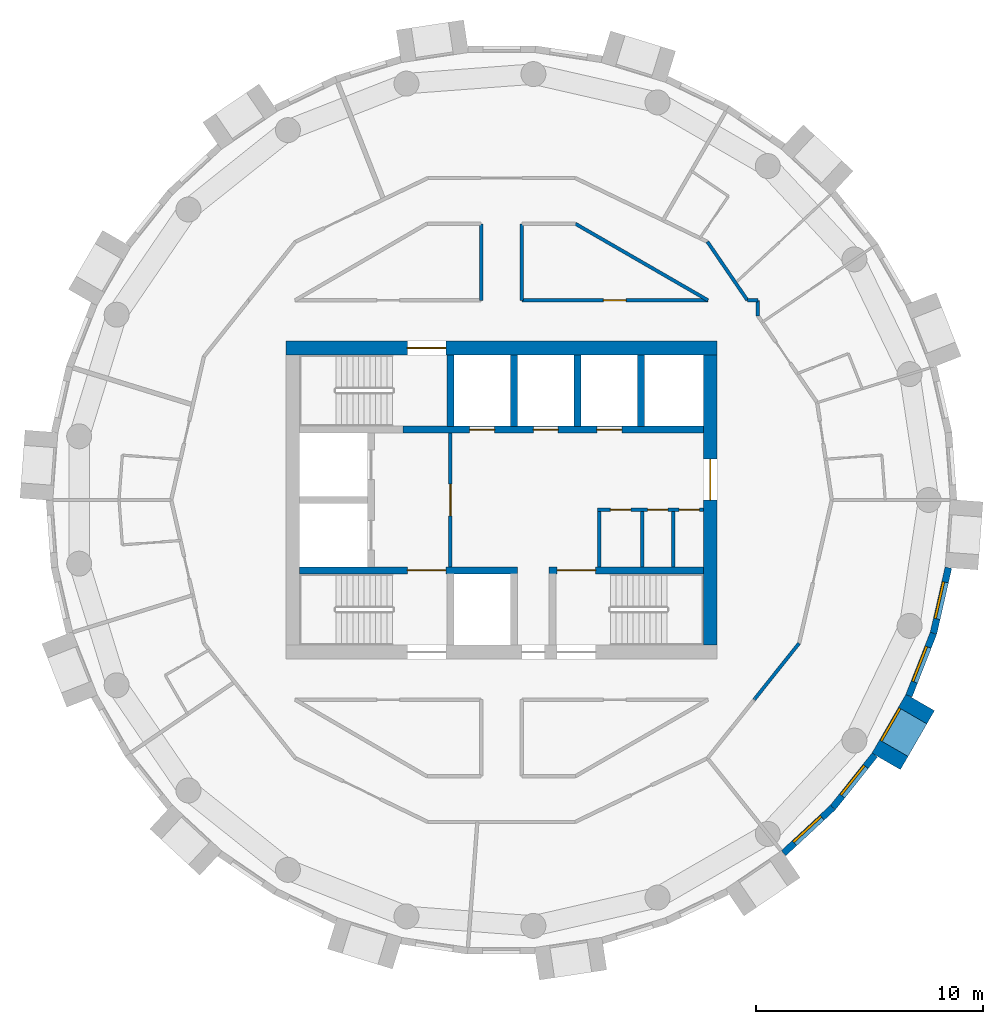
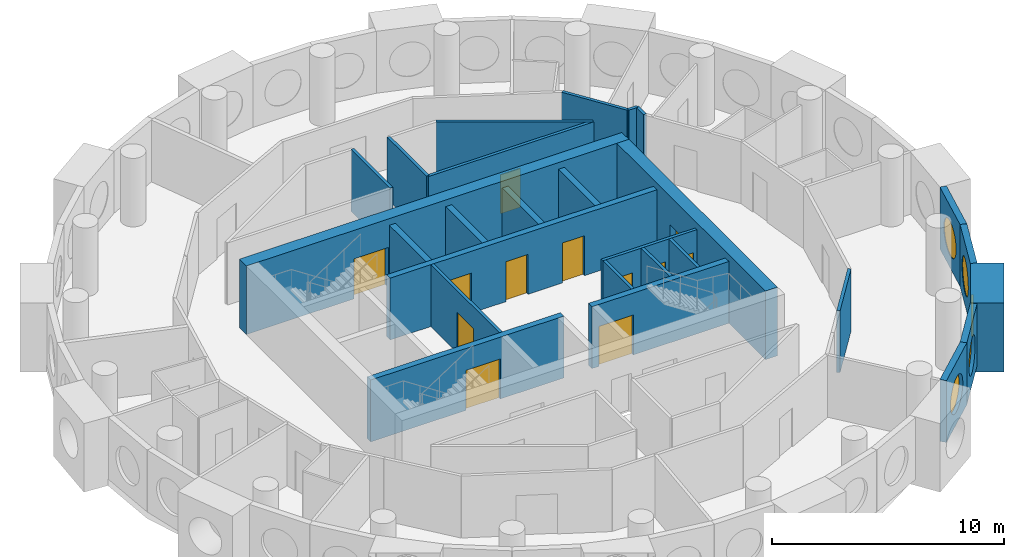
# One storey, part 7 of 11: 27 walls, 12 doors, 5 windows, 17 openings.
"""IFC4 building model written with IfcOpenShell, lengths in metres."""

from ifc_helpers import new_model, si_unit, direction, frame, frame_2d, origin, origin_2d, place, context, subcontext, project, spatial, rectangle, circle, extrude, material, layer, layer_set, type_object, element, fill, save


model = new_model("IFC4")

# Units and contexts
model_context = context("Model", 3, precision=1e-05, world=origin(), true_north=direction((0.0, 1.0)))
body_context = subcontext(model_context, "Body", "Model", "MODEL_VIEW")
ifc_project = project(units=[si_unit("LENGTHUNIT", "METRE"), si_unit("AREAUNIT", "SQUARE_METRE"), si_unit("VOLUMEUNIT", "CUBIC_METRE"), si_unit("PLANEANGLEUNIT", "RADIAN"), si_unit("MASSUNIT", "GRAM", prefix="KILO")], contexts=[model_context])

# Site, building, storey
site_placement = place(None, origin())
site = spatial("IfcSite", under=ifc_project, at=site_placement, CompositionType="ELEMENT")
building_placement = place(site_placement, origin())
building = spatial("IfcBuilding", under=site, at=building_placement, Name="Tracery Tower", CompositionType="ELEMENT")
storey_placement = place(building_placement, frame((0.0, 0.0, 238.199951171875)))
storey = spatial("IfcBuildingStorey", under=building, at=storey_placement, Name="L61", CompositionType="ELEMENT", Elevation=238.199951171875)

# Wall, opening, door
ifc_material_1 = material(Name="Plasterboard on steel studs", Category="steel")
ifc_layer_1 = layer(ifc_material_1, 0.14990234375)
ifc_layer_set_1 = layer_set([ifc_layer_1], Name="Core lobby partition 150")
wall_type_1 = type_object("IfcWallType", Name="Core lobby partition 150", PredefinedType="SOLIDWALL", material=ifc_layer_set_1)
wall_1_placement = place(storey_placement, frame((-2.25, -2.949951171875, 0.0), z_axis=(0.0, 0.0, 1.0), x_axis=(0.0, 1.0, 0.0)))
wall_1 = element("IfcWall", 1, at=wall_1_placement, inside=storey, type_object=wall_type_1, Name="L61 FF lobby E", PredefinedType="SOLIDWALL", context=body_context, shape_type="SweptSolid", body=[
    extrude(rectangle(XDim=5.89990234375, YDim=0.14990234375, at=frame_2d((2.949951171875, 0.0))), origin(), (0.0, 0.0, 1.0), 3.25),
])
opening_1_placement = place(wall_1_placement, frame((2.25, 0.0, 0.0)))
opening_1 = element("IfcOpeningElement", 2, at=opening_1_placement, cuts=wall_1, Name="Opening KD8", PredefinedType="OPENING", context=body_context, shape_type="SweptSolid", body=[
    extrude(rectangle(XDim=1.39990234375, YDim=2.10009765625, at=frame_2d((0.699951171875, 1.050048828125))), frame((0.0, 0.074951171875, 0.0), z_axis=(0.0, -1.0, 0.0), x_axis=(1.0, 0.0, 0.0)), (0.0, 0.0, 1.0), 0.14990234375),
])
ifc_material_2 = material(Name="Steel fire door", Category="steel")
door_type_1 = type_object("IfcDoorType", Name="Core lobby door 1400 double", OperationType="NOTDEFINED", PredefinedType="DOOR", material=ifc_material_2)
door_1_placement = place(opening_1_placement, origin())
door_1 = element("IfcDoor", 3, at=door_1_placement, inside=storey, type_object=door_type_1, Name="Fire-fighting lobby door", OperationType="DOUBLE_DOOR_SINGLE_SWING", OverallHeight=2.10009765625, OverallWidth=1.39990234375, PredefinedType="DOOR", context=body_context, shape_type="SweptSolid", body=[
    extrude(rectangle(XDim=1.39990234375, YDim=2.10009765625, at=frame_2d((0.699951171875, 1.050048828125))), frame((0.0, 0.02490234375, 0.0), z_axis=(0.0, -1.0, 0.0), x_axis=(1.0, 0.0, 0.0)), (0.0, 0.0, 1.0), 0.050048828125),
])
fill(opening_1, door_1)

# Wall
ifc_material_3 = material(Name="Plasterboard on steel studs", Category="steel")
ifc_layer_2 = layer(ifc_material_3, 0.14990234375)
ifc_layer_set_2 = layer_set([ifc_layer_2], Name="Core room partition 150")
wall_type_2 = type_object("IfcWallType", Name="Core room partition 150", PredefinedType="SOLIDWALL", material=ifc_layer_set_2)
wall_2_placement = place(storey_placement, frame((4.300048828125, -2.949951171875, 0.0), z_axis=(0.0, 0.0, 1.0), x_axis=(0.0, 1.0, 0.0)))
element("IfcWall", 4, at=wall_2_placement, inside=storey, type_object=wall_type_2, Name="L61 slot W", PredefinedType="SOLIDWALL", context=body_context, shape_type="SweptSolid", body=[
    extrude(rectangle(XDim=2.449951171875, YDim=0.14990234375, at=frame_2d((1.22509765625, 0.0))), origin(), (0.0, 0.0, 1.0), 3.25),
])

# Wall, openings, doors
wall_3_placement = place(storey_placement, frame((4.22509765625, -0.425048828125, 0.0), z_axis=(0.0, 0.0, 1.0), x_axis=(1.0, 0.0, 0.0)))
wall_3 = element("IfcWall", 5, at=wall_3_placement, inside=storey, type_object=wall_type_2, Name="L61 slot N", PredefinedType="SOLIDWALL", context=body_context, shape_type="SweptSolid", body=[
    extrude(rectangle(XDim=4.6748046875, YDim=0.14990234375, at=frame_2d((2.33740234375, 0.0))), origin(), (0.0, 0.0, 1.0), 3.25),
])
opening_2_placement = place(wall_3_placement, frame((0.574951171875, 0.0, 0.0)))
opening_2 = element("IfcOpeningElement", 6, at=opening_2_placement, cuts=wall_3, Name="Opening KD22", PredefinedType="OPENING", context=body_context, shape_type="SweptSolid", body=[
    extrude(rectangle(XDim=0.89990234375, YDim=2.10009765625, at=frame_2d((0.449951171875, 1.050048828125))), frame((0.0, 0.074951171875, 0.0), z_axis=(0.0, -1.0, 0.0), x_axis=(1.0, 0.0, 0.0)), (0.0, 0.0, 1.0), 0.14990234375),
])
opening_3_placement = place(wall_3_placement, frame((2.21240234375, 0.0, 0.0)))
opening_3 = element("IfcOpeningElement", 7, at=opening_3_placement, cuts=wall_3, Name="Opening KD26", PredefinedType="OPENING", context=body_context, shape_type="SweptSolid", body=[
    extrude(rectangle(XDim=0.89990234375, YDim=2.10009765625, at=frame_2d((0.449951171875, 1.050048828125))), frame((0.0, 0.074951171875, 0.0), z_axis=(0.0, -1.0, 0.0), x_axis=(1.0, 0.0, 0.0)), (0.0, 0.0, 1.0), 0.14990234375),
])
opening_4_placement = place(wall_3_placement, frame((3.60009765625, 0.0, 0.0)))
opening_4 = element("IfcOpeningElement", 8, at=opening_4_placement, cuts=wall_3, Name="Opening KD27", PredefinedType="OPENING", context=body_context, shape_type="SweptSolid", body=[
    extrude(rectangle(XDim=0.89990234375, YDim=2.10009765625, at=frame_2d((0.449951171875, 1.050048828125))), frame((0.0, 0.074951171875, 0.0), z_axis=(0.0, -1.0, 0.0), x_axis=(1.0, 0.0, 0.0)), (0.0, 0.0, 1.0), 0.14990234375),
])
ifc_material_4 = material(Name="Timber door leaf", Category="wood")
door_type_2 = type_object("IfcDoorType", Name="Core WC door 900", OperationType="NOTDEFINED", PredefinedType="DOOR", material=ifc_material_4)
door_2_placement = place(opening_2_placement, origin())
door_2 = element("IfcDoor", 9, at=door_2_placement, inside=storey, type_object=door_type_2, Name="Core door", OperationType="SINGLE_SWING_RIGHT", OverallHeight=2.10009765625, OverallWidth=0.89990234375, PredefinedType="DOOR", context=body_context, shape_type="SweptSolid", body=[
    extrude(rectangle(XDim=0.89990234375, YDim=2.10009765625, at=frame_2d((0.449951171875, 1.050048828125))), frame((0.0, 0.02490234375, 0.0), z_axis=(0.0, -1.0, 0.0), x_axis=(1.0, 0.0, 0.0)), (0.0, 0.0, 1.0), 0.050048828125),
])
fill(opening_2, door_2)
ifc_material_5 = material(Name="Timber door leaf", Category="wood")
door_type_3 = type_object("IfcDoorType", Name="Core store door 900", OperationType="NOTDEFINED", PredefinedType="DOOR", material=ifc_material_5)
door_3_placement = place(opening_3_placement, origin())
door_3 = element("IfcDoor", 10, at=door_3_placement, inside=storey, type_object=door_type_3, Name="Core door", OperationType="SINGLE_SWING_LEFT", OverallHeight=2.10009765625, OverallWidth=0.89990234375, PredefinedType="DOOR", context=body_context, shape_type="SweptSolid", body=[
    extrude(rectangle(XDim=0.89990234375, YDim=2.10009765625, at=frame_2d((0.449951171875, 1.050048828125))), frame((0.0, 0.02490234375, 0.0), z_axis=(0.0, -1.0, 0.0), x_axis=(1.0, 0.0, 0.0)), (0.0, 0.0, 1.0), 0.050048828125),
])
fill(opening_3, door_3)
door_4_placement = place(opening_4_placement, origin())
door_4 = element("IfcDoor", 11, at=door_4_placement, inside=storey, type_object=door_type_3, Name="Core door", OperationType="SINGLE_SWING_RIGHT", OverallHeight=2.10009765625, OverallWidth=0.89990234375, PredefinedType="DOOR", context=body_context, shape_type="SweptSolid", body=[
    extrude(rectangle(XDim=0.89990234375, YDim=2.10009765625, at=frame_2d((0.449951171875, 1.050048828125))), frame((0.0, 0.02490234375, 0.0), z_axis=(0.0, -1.0, 0.0), x_axis=(1.0, 0.0, 0.0)), (0.0, 0.0, 1.0), 0.050048828125),
])
fill(opening_4, door_4)

# Walls
for number, where, z_axis, x_axis, name in (
    (12, (6.199951171875, -2.949951171875, 0.0), (0.0, 0.0, 1.0), (0.0, 1.0, 0.0), "L61 slot sep 1"),
    (13, (7.574951171875, -2.949951171875, 0.0), (0.0, 0.0, 1.0), (0.0, 1.0, 0.0), "L61 slot sep 2"),
):
    element("IfcWall", number, at=place(storey_placement, frame(where, z_axis=z_axis, x_axis=x_axis)), inside=storey, type_object=wall_type_2, Name=name, PredefinedType="SOLIDWALL", context=body_context, shape_type="SweptSolid", body=[
        extrude(rectangle(XDim=2.449951171875, YDim=0.14990234375, at=frame_2d((1.22509765625, 0.0))), origin(), (0.0, 0.0, 1.0), 3.25),
    ])

# Wall, opening, door
ifc_material_6 = material(Name="Concrete C40/50", Category="concrete")
ifc_layer_3 = layer(ifc_material_6, 0.60009765625)
ifc_layer_set_3 = layer_set([ifc_layer_3], Name="Core wall 600 C40")
wall_type_3 = type_object("IfcWallType", Name="Core wall 600 C40", PredefinedType="SOLIDWALL", material=ifc_layer_set_3)
wall_4_placement = place(storey_placement, frame((-9.5, 6.699951171875, 0.0), z_axis=(0.0, 0.0, 1.0), x_axis=(1.0, 0.0, 0.0)))
wall_4 = element("IfcWall", 14, at=wall_4_placement, inside=storey, type_object=wall_type_3, Name="L61 outer N", PredefinedType="SOLIDWALL", context=body_context, shape_type="SweptSolid", body=[
    extrude(rectangle(XDim=19.0, YDim=0.60009765625, at=frame_2d((9.5, 0.0))), origin(), (0.0, 0.0, 1.0), 3.60009765625),
])
opening_5_placement = place(wall_4_placement, frame((5.35009765625, 0.0, 0.0)))
opening_5 = element("IfcOpeningElement", 15, at=opening_5_placement, cuts=wall_4, Name="Opening KD3", PredefinedType="OPENING", context=body_context, shape_type="SweptSolid", body=[
    extrude(rectangle(XDim=1.699951171875, YDim=2.10009765625, at=frame_2d((0.85009765625, 1.050048828125))), frame((0.0, 0.300048828125, 0.0), z_axis=(0.0, -1.0, 0.0), x_axis=(1.0, 0.0, 0.0)), (0.0, 0.0, 1.0), 0.60009765625),
])
ifc_material_7 = material(Name="Steel fire door", Category="steel")
door_type_4 = type_object("IfcDoorType", Name="Core stair door 1700 double", OperationType="NOTDEFINED", PredefinedType="DOOR", material=ifc_material_7)
door_5_placement = place(opening_5_placement, origin())
door_5 = element("IfcDoor", 16, at=door_5_placement, inside=storey, type_object=door_type_4, Name="Stair door ST3 exit", OperationType="DOUBLE_DOOR_SINGLE_SWING", OverallHeight=2.10009765625, OverallWidth=1.699951171875, PredefinedType="DOOR", context=body_context, shape_type="SweptSolid", body=[
    extrude(rectangle(XDim=1.699951171875, YDim=2.10009765625, at=frame_2d((0.85009765625, 1.050048828125))), frame((0.0, 0.02490234375, 0.0), z_axis=(0.0, -1.0, 0.0), x_axis=(1.0, 0.0, 0.0)), (0.0, 0.0, 1.0), 0.050048828125),
])
fill(opening_5, door_5)

wall_5_placement = place(storey_placement, frame((9.199951171875, -6.39990234375, 0.0), z_axis=(0.0, 0.0, 1.0), x_axis=(0.0, 1.0, 0.0)))
wall_5 = element("IfcWall", 17, at=wall_5_placement, inside=storey, type_object=wall_type_3, Name="L61 outer E", PredefinedType="SOLIDWALL", context=body_context, shape_type="SweptSolid", body=[
    extrude(rectangle(XDim=12.7998046875, YDim=0.60009765625, at=frame_2d((6.39990234375, 0.0))), origin(), (0.0, 0.0, 1.0), 3.60009765625),
])
opening_6_placement = place(wall_5_placement, frame((6.39990234375, 0.0, 0.0)))
opening_6 = element("IfcOpeningElement", 18, at=opening_6_placement, cuts=wall_5, Name="Opening KD13", PredefinedType="OPENING", context=body_context, shape_type="SweptSolid", body=[
    extrude(rectangle(XDim=1.800048828125, YDim=2.10009765625, at=frame_2d((0.89990234375, 1.050048828125))), frame((0.0, 0.300048828125, 0.0), z_axis=(0.0, -1.0, 0.0), x_axis=(1.0, 0.0, 0.0)), (0.0, 0.0, 1.0), 0.60009765625),
])
ifc_material_8 = material(Name="Steel fire door", Category="steel")
door_type_5 = type_object("IfcDoorType", Name="Core exit door 1800 double", OperationType="NOTDEFINED", PredefinedType="DOOR", material=ifc_material_8)
door_6_placement = place(opening_6_placement, origin())
door_6 = element("IfcDoor", 19, at=door_6_placement, inside=storey, type_object=door_type_5, Name="Core exit door", OperationType="DOUBLE_DOOR_SINGLE_SWING", OverallHeight=2.10009765625, OverallWidth=1.800048828125, PredefinedType="DOOR", context=body_context, shape_type="SweptSolid", body=[
    extrude(rectangle(XDim=1.800048828125, YDim=2.10009765625, at=frame_2d((0.89990234375, 1.050048828125))), frame((0.0, 0.02490234375, 0.0), z_axis=(0.0, -1.0, 0.0), x_axis=(1.0, 0.0, 0.0)), (0.0, 0.0, 1.0), 0.050048828125),
])
fill(opening_6, door_6)

# Wall, opening, window
ifc_material_9 = material(Name="Precast concrete C50/60", Category="concrete")
ifc_layer_4 = layer(ifc_material_9, 1.449951171875)
ifc_layer_set_4 = layer_set([ifc_layer_4], Name="Deep-set bay unit 3000 x 3600, slab edge 350")
wall_type_4 = type_object("IfcWallType", Name="Deep-set bay unit 3000 x 3600, slab edge 350", PredefinedType="ELEMENTEDWALL", material=ifc_layer_set_4)
wall_6_placement = place(storey_placement, frame((16.952392578125, -11.51953125, -0.349853515625), z_axis=(0.0, 0.0, 1.0), x_axis=(0.499990139034, 0.866031096941, 0.0)))
wall_6 = element("IfcWall", 20, at=wall_6_placement, inside=storey, type_object=wall_type_4, Name="Deep-set bay unit 39 at L61", PredefinedType="ELEMENTEDWALL", context=body_context, shape_type="SweptSolid", body=[
    extrude(rectangle(XDim=3.0, YDim=1.449951171875, at=frame_2d((1.5, 0.0))), origin(), (0.0, 0.0, 1.0), 3.599853515625),
])
opening_7_placement = place(wall_6_placement, frame((1.5, 0.0, 1.89990234375)))
opening_7 = element("IfcOpeningElement", 21, at=opening_7_placement, cuts=wall_6, Name="Opening WN1", PredefinedType="OPENING", context=body_context, shape_type="SweptSolid", body=[
    extrude(circle(Radius=0.9000244140625, at=origin_2d()), frame((0.0, 0.73486328125, 0.0), z_axis=(0.0, -1.0, 0.0), x_axis=(1.0, 0.0, 0.0)), (0.0, 0.0, 1.0), 1.469970703125),
])
ifc_material_10 = material(Name="Aluminium frame with tinted double glazing", Category="aluminium")
window_type = type_object("IfcWindowType", Name="Round window 1800", PartitioningType="SINGLE_PANEL", PredefinedType="WINDOW", material=ifc_material_10)
window_1_placement = place(opening_7_placement, origin())
window_1 = element("IfcWindow", 22, at=window_1_placement, inside=storey, type_object=window_type, Name="Round window 39 at L61", OverallHeight=1.800048828125, OverallWidth=1.800048828125, PartitioningType="SINGLE_PANEL", PredefinedType="WINDOW", context=body_context, shape_type="SweptSolid", body=[
    extrude(circle(Radius=0.9000244140625, at=origin_2d()), frame((0.0, 0.69482421875, 0.0), z_axis=(0.0, -1.0, 0.0), x_axis=(1.0, 0.0, 0.0)), (0.0, 0.0, 1.0), 0.10009765625),
])
fill(opening_7, window_1)

ifc_material_11 = material(Name="Precast concrete C50/60", Category="concrete")
ifc_layer_5 = layer(ifc_material_11, 0.300048828125)
ifc_layer_set_5 = layer_set([ifc_layer_5], Name="Facade panel 3000 x 3250")
wall_type_5 = type_object("IfcWallType", Name="Facade panel 3000 x 3250", PredefinedType="SOLIDWALL", material=ifc_layer_set_5)
wall_7_placement = place(storey_placement, frame((12.43212890625, -15.565185546875, 0.0), z_axis=(0.0, 0.0, 1.0), x_axis=(0.733066412643, 0.680157066165, 0.0)))
wall_7 = element("IfcWall", 23, at=wall_7_placement, inside=storey, type_object=wall_type_5, Name="Facade panel 37 at L61", PredefinedType="SOLIDWALL", context=body_context, shape_type="SweptSolid", body=[
    extrude(rectangle(XDim=2.96240234375, YDim=0.300048828125, at=frame_2d((1.481201171875, 0.0))), origin(), (0.0, 0.0, 1.0), 3.25),
])
opening_8_placement = place(wall_7_placement, frame((1.48095703125, 0.0, 1.5498046875)))
opening_8 = element("IfcOpeningElement", 24, at=opening_8_placement, cuts=wall_7, Name="Opening WN1", PredefinedType="OPENING", context=body_context, shape_type="SweptSolid", body=[
    extrude(circle(Radius=0.9000244140625, at=origin_2d()), frame((0.0, 0.159912109375, 0.0), z_axis=(0.0, -1.0, 0.0), x_axis=(1.0, 0.0, 0.0)), (0.0, 0.0, 1.0), 0.320068359375),
])
window_2_placement = place(opening_8_placement, origin())
window_2 = element("IfcWindow", 25, at=window_2_placement, inside=storey, type_object=window_type, Name="Round window 37 at L61", OverallHeight=1.800048828125, OverallWidth=1.800048828125, PartitioningType="SINGLE_PANEL", PredefinedType="WINDOW", context=body_context, shape_type="SweptSolid", body=[
    extrude(circle(Radius=0.9000244140625, at=origin_2d()), frame((0.0, 0.1201171875, 0.0), z_axis=(0.0, -1.0, 0.0), x_axis=(1.0, 0.0, 0.0)), (0.0, 0.0, 1.0), 0.10009765625),
])
fill(opening_8, window_2)

wall_8_placement = place(storey_placement, frame((14.603759765625, -13.55029296875, 0.0), z_axis=(0.0, 0.0, 1.0), x_axis=(0.623498236992, 0.781824755599, 0.0)))
wall_8 = element("IfcWall", 26, at=wall_8_placement, inside=storey, type_object=wall_type_5, Name="Facade panel 38 at L61", PredefinedType="SOLIDWALL", context=body_context, shape_type="SweptSolid", body=[
    extrude(rectangle(XDim=2.962158203125, YDim=0.300048828125, at=frame_2d((1.48095703125, 0.0))), origin(), (0.0, 0.0, 1.0), 3.25),
])
opening_9_placement = place(wall_8_placement, frame((1.48095703125, 0.0, 1.5498046875)))
opening_9 = element("IfcOpeningElement", 27, at=opening_9_placement, cuts=wall_8, Name="Opening WN1", PredefinedType="OPENING", context=body_context, shape_type="SweptSolid", body=[
    extrude(circle(Radius=0.9000244140625, at=origin_2d()), frame((0.0, 0.159912109375, 0.0), z_axis=(0.0, -1.0, 0.0), x_axis=(1.0, 0.0, 0.0)), (0.0, 0.0, 1.0), 0.320068359375),
])
window_3_placement = place(opening_9_placement, origin())
window_3 = element("IfcWindow", 28, at=window_3_placement, inside=storey, type_object=window_type, Name="Round window 38 at L61", OverallHeight=1.800048828125, OverallWidth=1.800048828125, PartitioningType="SINGLE_PANEL", PredefinedType="WINDOW", context=body_context, shape_type="SweptSolid", body=[
    extrude(circle(Radius=0.9000244140625, at=origin_2d()), frame((0.0, 0.1201171875, 0.0), z_axis=(0.0, -1.0, 0.0), x_axis=(1.0, 0.0, 0.0)), (0.0, 0.0, 1.0), 0.10009765625),
])
fill(opening_9, window_3)

wall_9_placement = place(storey_placement, frame((17.95458984375, -8.62939453125, 0.0), z_axis=(0.0, 0.0, 1.0), x_axis=(0.36530043032, 0.930889679612, 0.0)))
wall_9 = element("IfcWall", 29, at=wall_9_placement, inside=storey, type_object=wall_type_5, Name="Facade panel 40 at L61", PredefinedType="SOLIDWALL", context=body_context, shape_type="SweptSolid", body=[
    extrude(rectangle(XDim=2.9619140625, YDim=0.300048828125, at=frame_2d((1.48095703125, 0.0))), origin(), (0.0, 0.0, 1.0), 3.25),
])
opening_10_placement = place(wall_9_placement, frame((1.48095703125, 0.0, 1.5498046875)))
opening_10 = element("IfcOpeningElement", 30, at=opening_10_placement, cuts=wall_9, Name="Opening WN1", PredefinedType="OPENING", context=body_context, shape_type="SweptSolid", body=[
    extrude(circle(Radius=0.9000244140625, at=origin_2d()), frame((0.0, 0.159912109375, 0.0), z_axis=(0.0, -1.0, 0.0), x_axis=(1.0, 0.0, 0.0)), (0.0, 0.0, 1.0), 0.320068359375),
])
window_4_placement = place(opening_10_placement, origin())
window_4 = element("IfcWindow", 31, at=window_4_placement, inside=storey, type_object=window_type, Name="Round window 40 at L61", OverallHeight=1.800048828125, OverallWidth=1.800048828125, PartitioningType="SINGLE_PANEL", PredefinedType="WINDOW", context=body_context, shape_type="SweptSolid", body=[
    extrude(circle(Radius=0.9000244140625, at=origin_2d()), frame((0.0, 0.1201171875, 0.0), z_axis=(0.0, -1.0, 0.0), x_axis=(1.0, 0.0, 0.0)), (0.0, 0.0, 1.0), 0.10009765625),
])
fill(opening_10, window_4)

wall_10_placement = place(storey_placement, frame((19.03662109375, -5.8720703125, 0.0), z_axis=(0.0, 0.0, 1.0), x_axis=(0.222529389789, 0.974925982155, 0.0)))
wall_10 = element("IfcWall", 32, at=wall_10_placement, inside=storey, type_object=wall_type_5, Name="Facade panel 41 at L61", PredefinedType="SOLIDWALL", context=body_context, shape_type="SweptSolid", body=[
    extrude(rectangle(XDim=2.962158203125, YDim=0.300048828125, at=frame_2d((1.48095703125, 0.0))), origin(), (0.0, 0.0, 1.0), 3.25),
])
opening_11_placement = place(wall_10_placement, frame((1.48095703125, 0.0, 1.5498046875)))
opening_11 = element("IfcOpeningElement", 33, at=opening_11_placement, cuts=wall_10, Name="Opening WN1", PredefinedType="OPENING", context=body_context, shape_type="SweptSolid", body=[
    extrude(circle(Radius=0.9000244140625, at=origin_2d()), frame((0.0, 0.159912109375, 0.0), z_axis=(0.0, -1.0, 0.0), x_axis=(1.0, 0.0, 0.0)), (0.0, 0.0, 1.0), 0.320068359375),
])
window_5_placement = place(opening_11_placement, origin())
window_5 = element("IfcWindow", 34, at=window_5_placement, inside=storey, type_object=window_type, Name="Round window 41 at L61", OverallHeight=1.800048828125, OverallWidth=1.800048828125, PartitioningType="SINGLE_PANEL", PredefinedType="WINDOW", context=body_context, shape_type="SweptSolid", body=[
    extrude(circle(Radius=0.9000244140625, at=origin_2d()), frame((0.0, 0.1201171875, 0.0), z_axis=(0.0, -1.0, 0.0), x_axis=(1.0, 0.0, 0.0)), (0.0, 0.0, 1.0), 0.10009765625),
])
fill(opening_11, window_5)

# Wall, opening, door
ifc_material_12 = material(Name="Plasterboard on steel studs", Category="steel")
ifc_layer_6 = layer(ifc_material_12, 0.14990234375)
ifc_layer_set_6 = layer_set([ifc_layer_6], Name="Partition 150 corridor wall")
wall_type_6 = type_object("IfcWallType", Name="Partition 150 corridor wall", PredefinedType="PARTITIONING", material=ifc_layer_set_6)
wall_11_placement = place(storey_placement, frame((0.89599609375, 8.800048828125, 0.0), z_axis=(0.0, 0.0, 1.0), x_axis=(1.0, 0.0, 0.0)))
wall_11 = element("IfcWall", 35, at=wall_11_placement, inside=storey, type_object=wall_type_6, Name="Corridor wall RC1-003", PredefinedType="PARTITIONING", context=body_context, shape_type="SweptSolid", body=[
    extrude(rectangle(XDim=8.20458984375, YDim=0.14990234375, at=frame_2d((4.102294921875, 0.0))), origin(), (0.0, 0.0, 1.0), 3.25),
])
opening_12_placement = place(wall_11_placement, frame((3.597900390625, 0.0, 0.0)))
opening_12 = element("IfcOpeningElement", 36, at=opening_12_placement, cuts=wall_11, Name="Opening RC1-02", PredefinedType="OPENING", context=body_context, shape_type="SweptSolid", body=[
    extrude(rectangle(XDim=1.0, YDim=2.0400390625, at=frame_2d((0.5, 1.02001953125))), frame((0.0, 0.074951171875, 0.0), z_axis=(0.0, -1.0, 0.0), x_axis=(1.0, 0.0, 0.0)), (0.0, 0.0, 1.0), 0.14990234375),
])
ifc_material_13 = material(Name="Timber door leaf", Category="wood")
door_type_6 = type_object("IfcDoorType", Name="Door communal room 1000", OperationType="NOTDEFINED", PredefinedType="DOOR", material=ifc_material_13)
door_7_placement = place(opening_12_placement, origin())
door_7 = element("IfcDoor", 37, at=door_7_placement, inside=storey, type_object=door_type_6, Name="Communal room door RC1-02", OperationType="SINGLE_SWING_RIGHT", OverallHeight=2.0400390625, OverallWidth=1.0, PredefinedType="DOOR", context=body_context, shape_type="SweptSolid", body=[
    extrude(rectangle(XDim=1.0, YDim=2.0400390625, at=frame_2d((0.5, 1.02001953125))), frame((0.0, 0.02490234375, 0.0), z_axis=(0.0, -1.0, 0.0), x_axis=(1.0, 0.0, 0.0)), (0.0, 0.0, 1.0), 0.050048828125),
])
fill(opening_12, door_7)

# Walls
wall_12_placement = place(storey_placement, frame((9.075439453125, 11.380615234375, 0.0), z_axis=(0.0, 0.0, 1.0), x_axis=(0.564277533473, -0.825585165333, 0.0)))
element("IfcWall", 38, at=wall_12_placement, inside=storey, type_object=wall_type_6, Name="Corridor wall RC1-005", PredefinedType="PARTITIONING", context=body_context, shape_type="SweptSolid", body=[
    extrude(rectangle(XDim=3.123291015625, YDim=0.14990234375, at=frame_2d((1.5615234375, 0.0))), origin(), (0.0, 0.0, 1.0), 3.25),
])
wall_13_placement = place(storey_placement, frame((10.839111328125, 8.800048828125, 0.0), z_axis=(0.0, 0.0, 1.0), x_axis=(1.0, 0.0, 0.0)))
element("IfcWall", 39, at=wall_13_placement, inside=storey, type_object=wall_type_6, Name="Corridor wall RC1-006", PredefinedType="PARTITIONING", context=body_context, shape_type="SweptSolid", body=[
    extrude(rectangle(XDim=0.4609375, YDim=0.14990234375, at=frame_2d((0.23046875, 0.0))), origin(), (0.0, 0.0, 1.0), 3.25),
])
wall_14_placement = place(storey_placement, frame((11.300048828125, 8.113037109375, 0.0), z_axis=(0.0, 0.0, 1.0), x_axis=(0.0, 1.0, 0.0)))
element("IfcWall", 40, at=wall_14_placement, inside=storey, type_object=wall_type_6, Name="Corridor wall RC1-007", PredefinedType="PARTITIONING", context=body_context, shape_type="SweptSolid", body=[
    extrude(rectangle(XDim=0.68701171875, YDim=0.14990234375, at=frame_2d((0.343505859375, 0.0))), origin(), (0.0, 0.0, 1.0), 3.25),
])
wall_15_placement = place(storey_placement, frame((11.134033203125, -8.800048828125, 0.0), z_axis=(0.0, 0.0, 1.0), x_axis=(0.623476099415, 0.781842409606, 0.0)))
element("IfcWall", 41, at=wall_15_placement, inside=storey, type_object=wall_type_6, Name="Corridor wall RC1-024", PredefinedType="PARTITIONING", context=body_context, shape_type="SweptSolid", body=[
    extrude(rectangle(XDim=3.17724609375, YDim=0.14990234375, at=frame_2d((1.588623046875, 0.0))), origin(), (0.0, 0.0, 1.0), 3.25),
])
wall_16_placement = place(storey_placement, frame((-0.89990234375, 8.800048828125, 0.0), z_axis=(0.0, 0.0, 1.0), x_axis=(0.0, 1.0, 0.0)))
element("IfcWall", 42, at=wall_16_placement, inside=storey, type_object=wall_type_6, Name="Corridor wall RC1-025", PredefinedType="PARTITIONING", context=body_context, shape_type="SweptSolid", body=[
    extrude(rectangle(XDim=3.370849609375, YDim=0.14990234375, at=frame_2d((1.685546875, 0.0))), origin(), (0.0, 0.0, 1.0), 3.25),
])
wall_17_placement = place(storey_placement, frame((3.260986328125, 12.1708984375, 0.0), z_axis=(0.0, 0.0, 1.0), x_axis=(0.866066809554, -0.499928276245, 0.0)))
element("IfcWall", 43, at=wall_17_placement, inside=storey, type_object=wall_type_6, Name="Corridor wall RC1-027", PredefinedType="PARTITIONING", context=body_context, shape_type="SweptSolid", body=[
    extrude(rectangle(XDim=6.74267578125, YDim=0.14990234375, at=frame_2d((3.371337890625, 0.0))), origin(), (0.0, 0.0, 1.0), 3.25),
])
wall_18_placement = place(storey_placement, frame((0.89990234375, 8.800048828125, 0.0), z_axis=(0.0, 0.0, 1.0), x_axis=(0.0, 1.0, 0.0)))
element("IfcWall", 44, at=wall_18_placement, inside=storey, type_object=wall_type_6, Name="Corridor wall RC1-029", PredefinedType="PARTITIONING", context=body_context, shape_type="SweptSolid", body=[
    extrude(rectangle(XDim=3.370849609375, YDim=0.14990234375, at=frame_2d((1.685546875, 0.0))), origin(), (0.0, 0.0, 1.0), 3.25),
])
ifc_material_14 = material(Name="Concrete C40/50", Category="concrete")
ifc_layer_7 = layer(ifc_material_14, 0.300048828125)
ifc_layer_set_7 = layer_set([ifc_layer_7], Name="Shaft wall 300 C40")
wall_type_7 = type_object("IfcWallType", Name="Shaft wall 300 C40", PredefinedType="SOLIDWALL", material=ifc_layer_set_7)
for number, where, z_axis, x_axis, name in (
    (45, (0.550048828125, 3.25, 0.0), (0.0, 0.0, 1.0), (0.0, 1.0, 0.0), "L61 HR sep 1"),
    (46, (3.35009765625, 3.25, 0.0), (0.0, 0.0, 1.0), (0.0, 1.0, 0.0), "L61 HR sep 2"),
    (47, (6.14990234375, 3.25, 0.0), (0.0, 0.0, 1.0), (0.0, 1.0, 0.0), "L61 HR sep 3"),
):
    element("IfcWall", number, at=place(storey_placement, frame(where, z_axis=z_axis, x_axis=x_axis)), inside=storey, type_object=wall_type_7, Name=name, PredefinedType="SOLIDWALL", context=body_context, shape_type="SweptSolid", body=[
        extrude(rectangle(XDim=3.14990234375, YDim=0.300048828125, at=frame_2d((1.574951171875, 0.0))), origin(), (0.0, 0.0, 1.0), 3.25),
    ])

# Wall, opening, door
ifc_material_15 = material(Name="Concrete C40/50", Category="concrete")
ifc_layer_8 = layer(ifc_material_15, 0.300048828125)
ifc_layer_set_8 = layer_set([ifc_layer_8], Name="Stair wall 300 C40")
wall_type_8 = type_object("IfcWallType", Name="Stair wall 300 C40", PredefinedType="SOLIDWALL", material=ifc_layer_set_8)
wall_19_placement = place(storey_placement, frame((-8.89990234375, -3.10009765625, 0.0), z_axis=(0.0, 0.0, 1.0), x_axis=(1.0, 0.0, 0.0)))
wall_19 = element("IfcWall", 48, at=wall_19_placement, inside=storey, type_object=wall_type_8, Name="L61 row S", PredefinedType="SOLIDWALL", context=body_context, shape_type="SweptSolid", body=[
    extrude(rectangle(XDim=9.599853515625, YDim=0.300048828125, at=frame_2d((4.7998046875, 0.0))), origin(), (0.0, 0.0, 1.0), 3.25),
])
opening_13_placement = place(wall_19_placement, frame((4.75, 0.0, 0.0)))
opening_13 = element("IfcOpeningElement", 49, at=opening_13_placement, cuts=wall_19, Name="Opening KD3", PredefinedType="OPENING", context=body_context, shape_type="SweptSolid", body=[
    extrude(rectangle(XDim=1.699951171875, YDim=2.10009765625, at=frame_2d((0.85009765625, 1.050048828125))), frame((0.0, 0.14990234375, 0.0), z_axis=(0.0, -1.0, 0.0), x_axis=(1.0, 0.0, 0.0)), (0.0, 0.0, 1.0), 0.300048828125),
])
door_8_placement = place(opening_13_placement, origin())
door_8 = element("IfcDoor", 50, at=door_8_placement, inside=storey, type_object=door_type_4, Name="Stair door ST1", OperationType="DOUBLE_DOOR_SINGLE_SWING", OverallHeight=2.10009765625, OverallWidth=1.699951171875, PredefinedType="DOOR", context=body_context, shape_type="SweptSolid", body=[
    extrude(rectangle(XDim=1.699951171875, YDim=2.10009765625, at=frame_2d((0.85009765625, 1.050048828125))), frame((0.0, 0.02490234375, 0.0), z_axis=(0.0, -1.0, 0.0), x_axis=(1.0, 0.0, 0.0)), (0.0, 0.0, 1.0), 0.050048828125),
])
fill(opening_13, door_8)

wall_20_placement = place(storey_placement, frame((2.10009765625, -3.10009765625, 0.0), z_axis=(0.0, 0.0, 1.0), x_axis=(1.0, 0.0, 0.0)))
wall_20 = element("IfcWall", 51, at=wall_20_placement, inside=storey, type_object=wall_type_8, Name="L61 row S E", PredefinedType="SOLIDWALL", context=body_context, shape_type="SweptSolid", body=[
    extrude(rectangle(XDim=6.7998046875, YDim=0.300048828125, at=frame_2d((3.39990234375, 0.0))), origin(), (0.0, 0.0, 1.0), 3.25),
])
opening_14_placement = place(wall_20_placement, frame((0.35009765625, 0.0, 0.0)))
opening_14 = element("IfcOpeningElement", 52, at=opening_14_placement, cuts=wall_20, Name="Opening KD3", PredefinedType="OPENING", context=body_context, shape_type="SweptSolid", body=[
    extrude(rectangle(XDim=1.699951171875, YDim=2.10009765625, at=frame_2d((0.85009765625, 1.050048828125))), frame((0.0, 0.14990234375, 0.0), z_axis=(0.0, -1.0, 0.0), x_axis=(1.0, 0.0, 0.0)), (0.0, 0.0, 1.0), 0.300048828125),
])
door_9_placement = place(opening_14_placement, origin())
door_9 = element("IfcDoor", 53, at=door_9_placement, inside=storey, type_object=door_type_4, Name="Stair door ST2", OperationType="DOUBLE_DOOR_SINGLE_SWING", OverallHeight=2.10009765625, OverallWidth=1.699951171875, PredefinedType="DOOR", context=body_context, shape_type="SweptSolid", body=[
    extrude(rectangle(XDim=1.699951171875, YDim=2.10009765625, at=frame_2d((0.85009765625, 1.050048828125))), frame((0.0, 0.02490234375, 0.0), z_axis=(0.0, -1.0, 0.0), x_axis=(1.0, 0.0, 0.0)), (0.0, 0.0, 1.0), 0.050048828125),
])
fill(opening_14, door_9)

# Wall, openings, doors
wall_21_placement = place(storey_placement, frame((-4.35009765625, 3.10009765625, 0.0), z_axis=(0.0, 0.0, 1.0), x_axis=(1.0, 0.0, 0.0)))
wall_21 = element("IfcWall", 54, at=wall_21_placement, inside=storey, type_object=wall_type_8, Name="L61 row N", PredefinedType="SOLIDWALL", context=body_context, shape_type="SweptSolid", body=[
    extrude(rectangle(XDim=13.25, YDim=0.300048828125, at=frame_2d((6.625, 0.0))), origin(), (0.0, 0.0, 1.0), 3.25),
])
opening_15_placement = place(wall_21_placement, frame((2.949951171875, 0.0, 0.0)))
opening_15 = element("IfcOpeningElement", 55, at=opening_15_placement, cuts=wall_21, Name="Opening KD49", PredefinedType="OPENING", context=body_context, shape_type="SweptSolid", body=[
    extrude(rectangle(XDim=1.10009765625, YDim=2.10009765625, at=frame_2d((0.550048828125, 1.050048828125))), frame((0.0, 0.14990234375, 0.0), z_axis=(0.0, -1.0, 0.0), x_axis=(1.0, 0.0, 0.0)), (0.0, 0.0, 1.0), 0.300048828125),
])
opening_16_placement = place(wall_21_placement, frame((5.75, 0.0, 0.0)))
opening_16 = element("IfcOpeningElement", 56, at=opening_16_placement, cuts=wall_21, Name="Opening KD50", PredefinedType="OPENING", context=body_context, shape_type="SweptSolid", body=[
    extrude(rectangle(XDim=1.10009765625, YDim=2.10009765625, at=frame_2d((0.550048828125, 1.050048828125))), frame((0.0, 0.14990234375, 0.0), z_axis=(0.0, -1.0, 0.0), x_axis=(1.0, 0.0, 0.0)), (0.0, 0.0, 1.0), 0.300048828125),
])
opening_17_placement = place(wall_21_placement, frame((8.550048828125, 0.0, 0.0)))
opening_17 = element("IfcOpeningElement", 57, at=opening_17_placement, cuts=wall_21, Name="Opening KD49", PredefinedType="OPENING", context=body_context, shape_type="SweptSolid", body=[
    extrude(rectangle(XDim=1.10009765625, YDim=2.10009765625, at=frame_2d((0.550048828125, 1.050048828125))), frame((0.0, 0.14990234375, 0.0), z_axis=(0.0, -1.0, 0.0), x_axis=(1.0, 0.0, 0.0)), (0.0, 0.0, 1.0), 0.300048828125),
])
ifc_material_16 = material(Name="Steel fire door", Category="steel")
door_type_7 = type_object("IfcDoorType", Name="Landing door 1100", OperationType="NOTDEFINED", PredefinedType="DOOR", material=ifc_material_16)
door_10_placement = place(opening_15_placement, origin())
door_10 = element("IfcDoor", 58, at=door_10_placement, inside=storey, type_object=door_type_7, Name="Landing door HR1", OperationType="SLIDING_TO_LEFT", OverallHeight=2.10009765625, OverallWidth=1.10009765625, PredefinedType="DOOR", context=body_context, shape_type="SweptSolid", body=[
    extrude(rectangle(XDim=1.10009765625, YDim=2.10009765625, at=frame_2d((0.550048828125, 1.050048828125))), frame((0.0, 0.02490234375, 0.0), z_axis=(0.0, -1.0, 0.0), x_axis=(1.0, 0.0, 0.0)), (0.0, 0.0, 1.0), 0.050048828125),
])
fill(opening_15, door_10)
door_11_placement = place(opening_16_placement, origin())
door_11 = element("IfcDoor", 59, at=door_11_placement, inside=storey, type_object=door_type_7, Name="Landing door HR2", OperationType="SLIDING_TO_RIGHT", OverallHeight=2.10009765625, OverallWidth=1.10009765625, PredefinedType="DOOR", context=body_context, shape_type="SweptSolid", body=[
    extrude(rectangle(XDim=1.10009765625, YDim=2.10009765625, at=frame_2d((0.550048828125, 1.050048828125))), frame((0.0, 0.02490234375, 0.0), z_axis=(0.0, -1.0, 0.0), x_axis=(1.0, 0.0, 0.0)), (0.0, 0.0, 1.0), 0.050048828125),
])
fill(opening_16, door_11)
door_12_placement = place(opening_17_placement, origin())
door_12 = element("IfcDoor", 60, at=door_12_placement, inside=storey, type_object=door_type_7, Name="Landing door HR3", OperationType="SLIDING_TO_LEFT", OverallHeight=2.10009765625, OverallWidth=1.10009765625, PredefinedType="DOOR", context=body_context, shape_type="SweptSolid", body=[
    extrude(rectangle(XDim=1.10009765625, YDim=2.10009765625, at=frame_2d((0.550048828125, 1.050048828125))), frame((0.0, 0.02490234375, 0.0), z_axis=(0.0, -1.0, 0.0), x_axis=(1.0, 0.0, 0.0)), (0.0, 0.0, 1.0), 0.050048828125),
])
fill(opening_17, door_12)

# Wall
wall_22_placement = place(storey_placement, frame((-2.25, 3.25, 0.0), z_axis=(0.0, 0.0, 1.0), x_axis=(0.0, 1.0, 0.0)))
element("IfcWall", 61, at=wall_22_placement, inside=storey, type_object=wall_type_8, Name="L61 ST3 E", PredefinedType="SOLIDWALL", context=body_context, shape_type="SweptSolid", body=[
    extrude(rectangle(XDim=3.14990234375, YDim=0.300048828125, at=frame_2d((1.574951171875, 0.0))), origin(), (0.0, 0.0, 1.0), 3.25),
])

save(model, "model.ifc")
